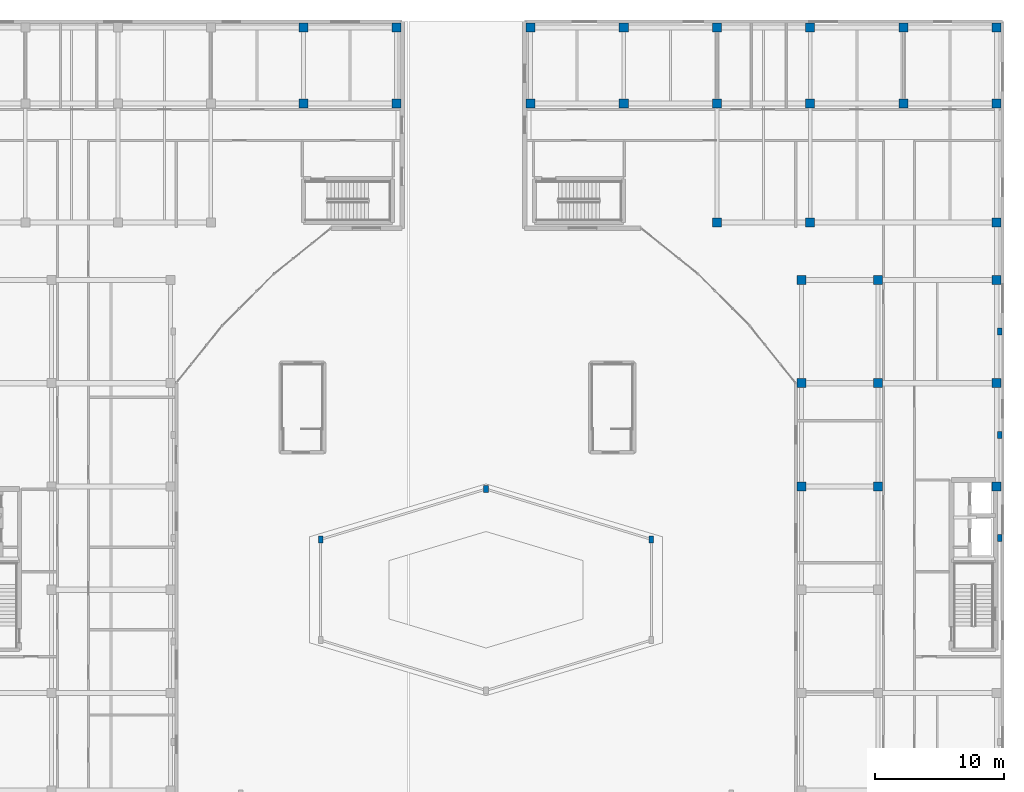
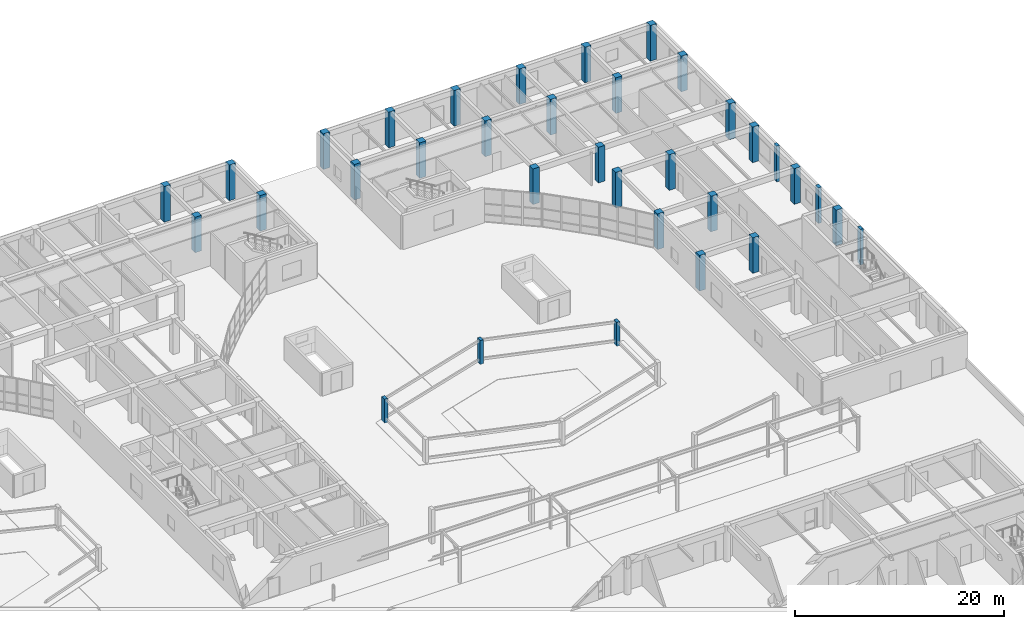
# One storey, part 14 of 114: 34 columns.
"""IFC4 building model written with IfcOpenShell, lengths in metres."""

from ifc_helpers import new_model, si_unit, direction, frame, origin, origin_2d, place, context, subcontext, project, spatial, rectangle, extrude, material, material_profile, profile_set, type_object, element, save


model = new_model("IFC4")

# Units and contexts
model_context = context("Model", 3, precision=1e-05, world=origin(), true_north=direction((0.0, 1.0)))
body_context = subcontext(model_context, "Body", "Model", "MODEL_VIEW")
ifc_project = project(units=[si_unit("LENGTHUNIT", "METRE"), si_unit("AREAUNIT", "SQUARE_METRE"), si_unit("VOLUMEUNIT", "CUBIC_METRE"), si_unit("PLANEANGLEUNIT", "RADIAN"), si_unit("MASSUNIT", "GRAM", prefix="KILO")], contexts=[model_context])

# Site, building, storey
site_placement = place(None, origin())
site = spatial("IfcSite", under=ifc_project, at=site_placement, CompositionType="ELEMENT")
building_placement = place(site_placement, origin())
building = spatial("IfcBuilding", under=site, at=building_placement, Name="Keldmere Railside Commons", CompositionType="ELEMENT")
storey_placement = place(building_placement, origin())
storey = spatial("IfcBuildingStorey", under=building, at=storey_placement, Name="L00", CompositionType="ELEMENT", Elevation=0.0)

# Columns
ifc_material_1 = material(Name="Architectural Precast Concrete H-35 (C35/45)", Category="concrete")
ifc_material_profile_1 = material_profile(ifc_material_1, rectangle(XDim=0.35009765625, YDim=0.550048828125, at=origin_2d()), Name="RC-350x550")
ifc_profile_set_1 = profile_set([ifc_material_profile_1], Name="Architectural Precast Concrete H-35 (C35/45)")
column_type_1 = type_object("IfcColumnType", Name="Facade Precast Pilaster Column 350x550", PredefinedType="PILASTER", material=ifc_profile_set_1)
for number, where, z_axis, x_axis, name in (
    (1, (131.18310546875, 75.89990234375, 0.0), (0.0, 0.0, 1.0), (1.0, 0.0, 0.0), "C-PIL COL-L00-1317"),
    (2, (144.0, 79.800048828125, 0.0), (0.0, 0.0, 1.0), (1.0, 0.0, 0.0), "C-PIL COL-L00-1370"),
    (3, (156.81689453125, 75.89990234375, 0.0), (0.0, 0.0, 1.0), (1.0, 0.0, 0.0), "C-PIL COL-L00-1453"),
):
    element("IfcColumn", number, at=place(storey_placement, frame(where, z_axis=z_axis, x_axis=x_axis)), inside=storey, type_object=column_type_1, Name=name, PredefinedType="PILASTER", context=body_context, shape_type="SweptSolid", body=[
        extrude(rectangle(XDim=0.35009765625, YDim=0.550048828125, at=origin_2d()), origin(), (0.0, 0.0, 1.0), 2.800048828125),
    ])
for number, where, z_axis, x_axis, name in (
    (4, (183.780029296875, 76.0, 0.0), (0.0, 0.0, 1.0), (1.0, 0.0, 0.0), "C-PIL COL-L00-1918"),
    (5, (183.780029296875, 84.0, 0.0), (0.0, 0.0, 1.0), (1.0, 0.0, 0.0), "C-PIL COL-L00-1923"),
    (6, (183.780029296875, 92.0, 0.0), (0.0, 0.0, 1.0), (1.0, 0.0, 0.0), "C-PIL COL-L00-1928"),
):
    element("IfcColumn", number, at=place(storey_placement, frame(where, z_axis=z_axis, x_axis=x_axis)), inside=storey, type_object=column_type_1, Name=name, PredefinedType="PILASTER", context=body_context, shape_type="SweptSolid", body=[
        extrude(rectangle(XDim=0.35009765625, YDim=0.550048828125, at=origin_2d()), origin(), (0.0, 0.0, 1.0), 4.159912109375),
    ])
ifc_material_2 = material(Name="Concrete H-40 (C40/50)", Category="concrete")
ifc_material_profile_2 = material_profile(ifc_material_2, rectangle(XDim=0.699951171875, YDim=0.699951171875, at=origin_2d()), Name="RC-700x700")
ifc_profile_set_2 = profile_set([ifc_material_profile_2], Name="Concrete H-40 (C40/50)")
column_type_2 = type_object("IfcColumnType", Name="Lower Residential RC Column 700x700", PredefinedType="COLUMN", material=ifc_profile_set_2)
for number, where, z_axis, x_axis, name in (
    (7, (129.866943359375, 109.64990234375, 0.0), (0.0, 0.0, 1.0), (1.0, 0.0, 0.0), "C-700 COL-L00-1293"),
    (8, (129.866943359375, 115.550048828125, 0.0), (0.0, 0.0, 1.0), (1.0, 0.0, 0.0), "C-700 COL-L00-1306"),
    (9, (137.050048828125, 109.64990234375, 0.0), (0.0, 0.0, 1.0), (1.0, 0.0, 0.0), "C-700 COL-L00-1343"),
    (10, (137.050048828125, 115.550048828125, 0.0), (0.0, 0.0, 1.0), (1.0, 0.0, 0.0), "C-700 COL-L00-1356"),
    (11, (147.449951171875, 109.64990234375, 0.0), (0.0, 0.0, 1.0), (1.0, 0.0, 0.0), "C-700 COL-L00-1373"),
    (12, (147.449951171875, 115.550048828125, 0.0), (0.0, 0.0, 1.0), (1.0, 0.0, 0.0), "C-700 COL-L00-1388"),
    (13, (154.669921875, 109.64990234375, 0.0), (0.0, 0.0, 1.0), (1.0, 0.0, 0.0), "C-700 COL-L00-1425"),
    (14, (154.669921875, 115.550048828125, 0.0), (0.0, 0.0, 1.0), (1.0, 0.0, 0.0), "C-700 COL-L00-1440"),
    (15, (161.889892578125, 100.449951171875, 0.0), (0.0, 0.0, 1.0), (1.0, 0.0, 0.0), "C-700 COL-L00-1478"),
    (16, (161.889892578125, 109.64990234375, 0.0), (0.0, 0.0, 1.0), (1.0, 0.0, 0.0), "C-700 COL-L00-1494"),
    (17, (161.889892578125, 115.550048828125, 0.0), (0.0, 0.0, 1.0), (1.0, 0.0, 0.0), "C-700 COL-L00-1509"),
    (18, (168.449951171875, 80.0, 0.0), (0.0, 0.0, 1.0), (1.0, 0.0, 0.0), "C-700 COL-L00-1583"),
    (19, (168.449951171875, 88.0, 0.0), (0.0, 0.0, 1.0), (1.0, 0.0, 0.0), "C-700 COL-L00-1598"),
    (20, (168.449951171875, 96.0, 0.0), (0.0, 0.0, 1.0), (1.0, 0.0, 0.0), "C-700 COL-L00-1613"),
    (21, (169.110107421875, 100.449951171875, 0.0), (0.0, 0.0, 1.0), (1.0, 0.0, 0.0), "C-700 COL-L00-1628"),
    (22, (169.110107421875, 109.64990234375, 0.0), (0.0, 0.0, 1.0), (1.0, 0.0, 0.0), "C-700 COL-L00-1644"),
    (23, (169.110107421875, 115.550048828125, 0.0), (0.0, 0.0, 1.0), (1.0, 0.0, 0.0), "C-700 COL-L00-1659"),
    (24, (174.35009765625, 80.0, 0.0), (0.0, 0.0, 1.0), (1.0, 0.0, 0.0), "C-700 COL-L00-1709"),
    (25, (174.35009765625, 88.0, 0.0), (0.0, 0.0, 1.0), (1.0, 0.0, 0.0), "C-700 COL-L00-1724"),
    (26, (174.35009765625, 96.0, 0.0), (0.0, 0.0, 1.0), (1.0, 0.0, 0.0), "C-700 COL-L00-1739"),
    (27, (176.330078125, 109.64990234375, 0.0), (0.0, 0.0, 1.0), (1.0, 0.0, 0.0), "C-700 COL-L00-1772"),
    (28, (176.330078125, 115.550048828125, 0.0), (0.0, 0.0, 1.0), (1.0, 0.0, 0.0), "C-700 COL-L00-1787"),
    (29, (183.550048828125, 80.0, 0.0), (0.0, 0.0, 1.0), (1.0, 0.0, 0.0), "C-700 COL-L00-1826"),
    (30, (183.550048828125, 88.0, 0.0), (0.0, 0.0, 1.0), (1.0, 0.0, 0.0), "C-700 COL-L00-1841"),
    (31, (183.550048828125, 96.0, 0.0), (0.0, 0.0, 1.0), (1.0, 0.0, 0.0), "C-700 COL-L00-1856"),
    (32, (183.550048828125, 100.449951171875, 0.0), (0.0, 0.0, 1.0), (1.0, 0.0, 0.0), "C-700 COL-L00-1871"),
    (33, (183.550048828125, 109.64990234375, 0.0), (0.0, 0.0, 1.0), (1.0, 0.0, 0.0), "C-700 COL-L00-1887"),
    (34, (183.550048828125, 115.550048828125, 0.0), (0.0, 0.0, 1.0), (1.0, 0.0, 0.0), "C-700 COL-L00-1902"),
):
    element("IfcColumn", number, at=place(storey_placement, frame(where, z_axis=z_axis, x_axis=x_axis)), inside=storey, type_object=column_type_2, Name=name, PredefinedType="COLUMN", context=body_context, shape_type="SweptSolid", body=[
        extrude(rectangle(XDim=0.699951171875, YDim=0.699951171875, at=origin_2d()), origin(), (0.0, 0.0, 1.0), 4.159912109375),
    ])

save(model, "model.ifc")
